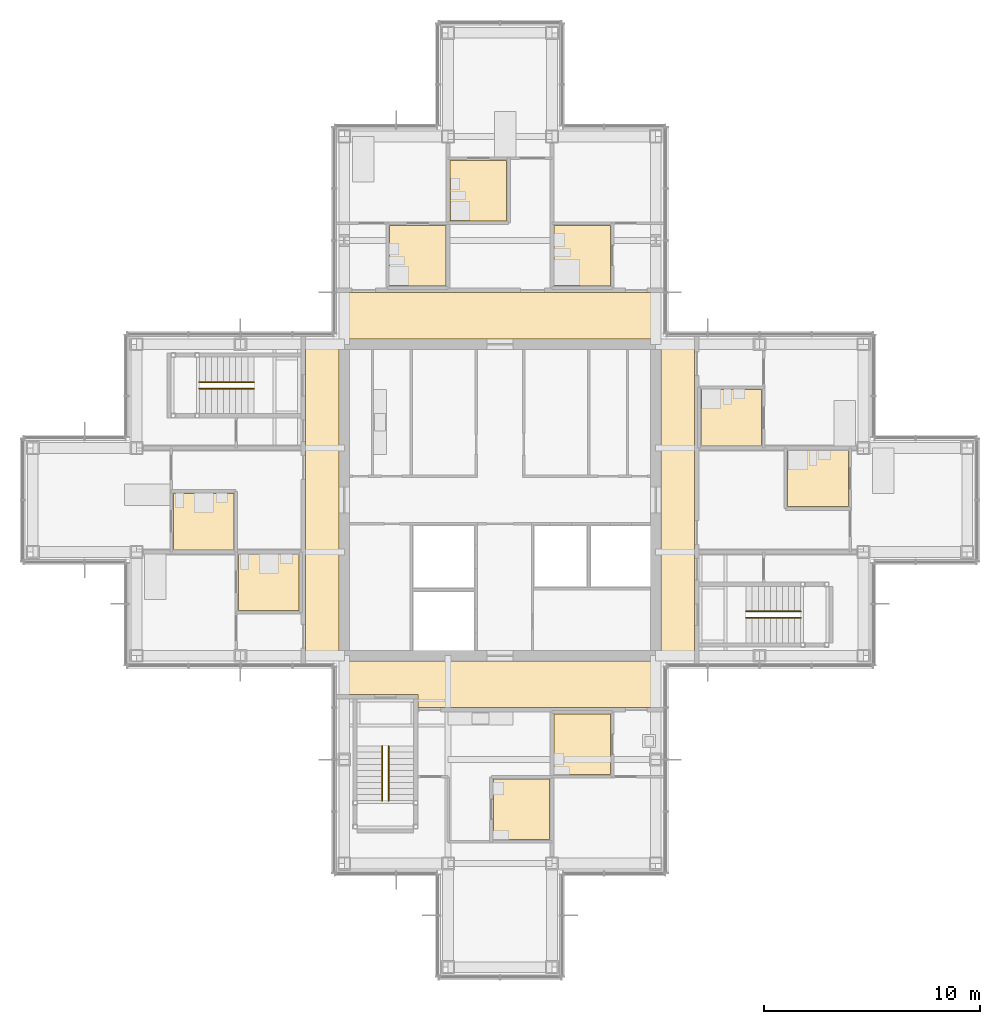
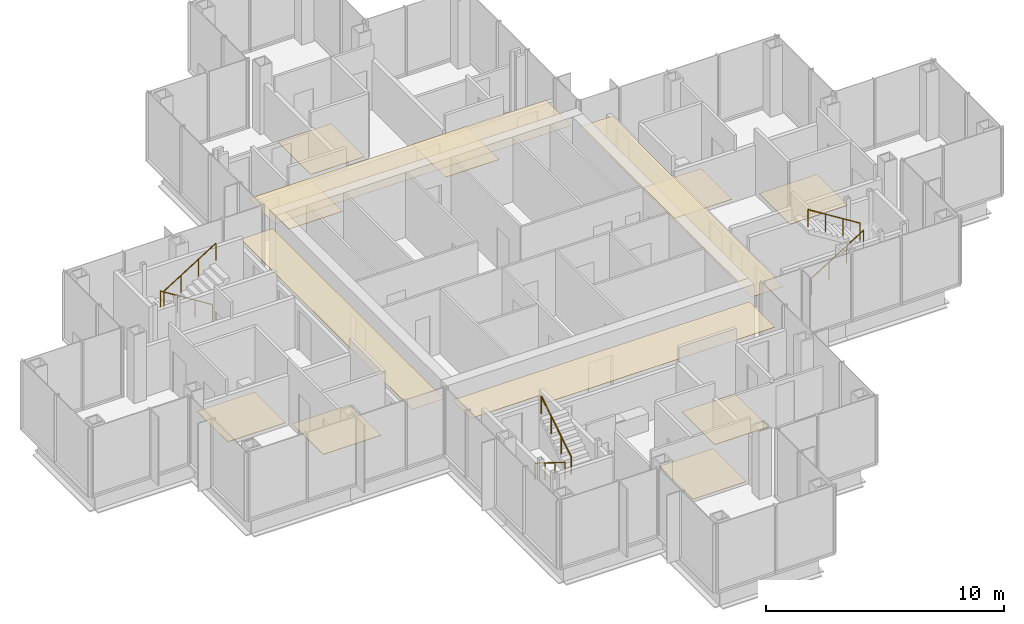
# One storey, part 15 of 17: 13 coverings, 6 railings.
"""IFC4 building model written with IfcOpenShell, lengths in metres."""

from ifc_helpers import new_model, si_unit, direction, frame, origin, origin_2d, place, context, subcontext, project, spatial, polyline, circle, outline, extrude, material, layer, layer_set, type_object, element, save


model = new_model("IFC4")

# Units and contexts
model_context = context("Model", 3, precision=1e-05, world=origin(), true_north=direction((0.0, 1.0)))
body_context = subcontext(model_context, "Body", "Model", "MODEL_VIEW")
ifc_project = project(units=[si_unit("LENGTHUNIT", "METRE"), si_unit("AREAUNIT", "SQUARE_METRE"), si_unit("VOLUMEUNIT", "CUBIC_METRE"), si_unit("PLANEANGLEUNIT", "RADIAN"), si_unit("MASSUNIT", "GRAM", prefix="KILO")], contexts=[model_context])

# Site, building, storey
site_placement = place(None, origin())
site = spatial("IfcSite", under=ifc_project, at=site_placement, CompositionType="ELEMENT")
building_placement = place(site_placement, origin())
building = spatial("IfcBuilding", under=site, at=building_placement, Name="Kvirike Care Tower", CompositionType="ELEMENT")
storey_placement = place(building_placement, frame((0.0, 0.0, 151.5)))
storey = spatial("IfcBuildingStorey", under=building, at=storey_placement, Name="L41", CompositionType="ELEMENT", Elevation=151.5)

# Coverings
ifc_material_1 = material(Name="Perforated metal ceiling tile", Category="aluminium")
ifc_layer_1 = layer(ifc_material_1, 0.014892578125)
ifc_layer_set_1 = layer_set([ifc_layer_1], Name="CORRIDOR CEILING 15")
covering_type_1 = type_object("IfcCoveringType", Name="CORRIDOR CEILING 15", PredefinedType="CEILING", material=ifc_layer_set_1)
covering_1_placement = place(storey_placement, frame((0.0, 0.0, 2.5)))
element("IfcCovering", 1, at=covering_1_placement, inside=storey, type_object=covering_type_1, Name="Corridor ceiling L41", PredefinedType="CEILING", context=body_context, shape_type="SweptSolid", body=[
    extrude(outline(polyline([(12.60009765625, 43.199951171875), (14.14990234375, 43.199951171875), (14.14990234375, 28.800048828125), (12.60009765625, 28.800048828125), (12.60009765625, 43.199951171875)])), origin(), (0.0, 0.0, 1.0), 0.014892578125),
])
covering_2_placement = place(storey_placement, frame((0.0, 0.0, 2.5)))
element("IfcCovering", 2, at=covering_2_placement, inside=storey, type_object=covering_type_1, Name="Corridor ceiling L41", PredefinedType="CEILING", context=body_context, shape_type="SweptSolid", body=[
    extrude(outline(polyline([(14.39990234375, 28.550048828125), (28.800048828125, 28.550048828125), (28.800048828125, 26.39990234375), (17.800048828125, 26.39990234375), (17.800048828125, 27.0), (14.39990234375, 27.0), (14.39990234375, 28.550048828125)])), origin(), (0.0, 0.0, 1.0), 0.014892578125),
])
covering_3_placement = place(storey_placement, frame((0.0, 0.0, 2.5)))
element("IfcCovering", 3, at=covering_3_placement, inside=storey, type_object=covering_type_1, Name="Corridor ceiling L41", PredefinedType="CEILING", context=body_context, shape_type="SweptSolid", body=[
    extrude(outline(polyline([(28.800048828125, 45.60009765625), (28.800048828125, 43.449951171875), (14.39990234375, 43.449951171875), (14.39990234375, 45.60009765625), (28.800048828125, 45.60009765625)])), origin(), (0.0, 0.0, 1.0), 0.014892578125),
])
covering_4_placement = place(storey_placement, frame((0.0, 0.0, 2.5)))
element("IfcCovering", 4, at=covering_4_placement, inside=storey, type_object=covering_type_1, Name="Corridor ceiling L41", PredefinedType="CEILING", context=body_context, shape_type="SweptSolid", body=[
    extrude(outline(polyline([(30.60009765625, 28.800048828125), (29.050048828125, 28.800048828125), (29.050048828125, 43.199951171875), (30.60009765625, 43.199951171875), (30.60009765625, 28.800048828125)])), origin(), (0.0, 0.0, 1.0), 0.014892578125),
])

# Railings
ifc_material_2 = material(Name="Stainless steel handrail", Category="steel")
railing_type = type_object("IfcRailingType", Name="STAIR HANDRAIL 900", PredefinedType="HANDRAIL", material=ifc_material_2)
railing_1_placement = place(storey_placement, frame((10.219970703125, 41.449951171875, 0.175048828125)))
element("IfcRailing", 5, at=railing_1_placement, inside=storey, type_object=railing_type, Name="Stair 1 handrail L41 flight 1", PredefinedType="HANDRAIL", context=body_context, shape_type="SweptSolid", body=[
    extrude(circle(Radius=0.02490234375, at=origin_2d()), frame((0.0, 0.0, 0.875), z_axis=(-0.848007534815, 0.0, 0.529984170421), x_axis=(0.0, -1.0, 0.0)), (0.0, 0.0, 1.0), 2.9716796875),
    extrude(circle(Radius=0.02001953125, at=origin_2d()), origin(), (0.0, 0.0, 1.0), 0.849853515625),
    extrude(circle(Radius=0.02001953125, at=origin_2d()), frame((-0.840087890625, 0.0, 0.52490234375)), (0.0, 0.0, 1.0), 0.849853515625),
    extrude(circle(Radius=0.02001953125, at=origin_2d()), frame((-1.679931640625, 0.0, 1.050048828125)), (0.0, 0.0, 1.0), 0.849853515625),
    extrude(circle(Radius=0.02001953125, at=origin_2d()), frame((-2.52001953125, 0.0, 1.574951171875)), (0.0, 0.0, 1.0), 0.849853515625),
])
for number, where, name in (
    (6, (7.699951171875, 41.14990234375, 1.925048828125), "Stair 1 handrail L41 flight 2"),
    (7, (32.97998046875, 30.550048828125, 0.175048828125), "Stair 2 handrail L41 flight 1"),
):
    element("IfcRailing", number, at=place(storey_placement, frame(where)), inside=storey, type_object=railing_type, Name=name, PredefinedType="HANDRAIL", context=body_context, shape_type="SweptSolid", body=[
        extrude(circle(Radius=0.02490234375, at=origin_2d()), frame((0.0, 0.0, 0.875), z_axis=(0.848007534815, 0.0, 0.529984170421), x_axis=(0.0, 1.0, 0.0)), (0.0, 0.0, 1.0), 2.9716796875),
        extrude(circle(Radius=0.02001953125, at=origin_2d()), origin(), (0.0, 0.0, 1.0), 0.849853515625),
        extrude(circle(Radius=0.02001953125, at=origin_2d()), frame((0.840087890625, 0.0, 0.52490234375)), (0.0, 0.0, 1.0), 0.849853515625),
        extrude(circle(Radius=0.02001953125, at=origin_2d()), frame((1.679931640625, 0.0, 1.050048828125)), (0.0, 0.0, 1.0), 0.849853515625),
        extrude(circle(Radius=0.02001953125, at=origin_2d()), frame((2.52001953125, 0.0, 1.574951171875)), (0.0, 0.0, 1.0), 0.849853515625),
    ])
railing_2_placement = place(storey_placement, frame((35.5, 30.85009765625, 1.925048828125)))
element("IfcRailing", 8, at=railing_2_placement, inside=storey, type_object=railing_type, Name="Stair 2 handrail L41 flight 2", PredefinedType="HANDRAIL", context=body_context, shape_type="SweptSolid", body=[
    extrude(circle(Radius=0.02490234375, at=origin_2d()), frame((0.0, 0.0, 0.875), z_axis=(-0.848007534815, 0.0, 0.529984170421), x_axis=(0.0, -1.0, 0.0)), (0.0, 0.0, 1.0), 2.9716796875),
    extrude(circle(Radius=0.02001953125, at=origin_2d()), origin(), (0.0, 0.0, 1.0), 0.849853515625),
    extrude(circle(Radius=0.02001953125, at=origin_2d()), frame((-0.840087890625, 0.0, 0.52490234375)), (0.0, 0.0, 1.0), 0.849853515625),
    extrude(circle(Radius=0.02001953125, at=origin_2d()), frame((-1.679931640625, 0.0, 1.050048828125)), (0.0, 0.0, 1.0), 0.849853515625),
    extrude(circle(Radius=0.02001953125, at=origin_2d()), frame((-2.52001953125, 0.0, 1.574951171875)), (0.0, 0.0, 1.0), 0.849853515625),
])
railing_3_placement = place(storey_placement, frame((16.14990234375, 24.6201171875, 0.175048828125)))
element("IfcRailing", 9, at=railing_3_placement, inside=storey, type_object=railing_type, Name="Stair 5 handrail L41 flight 1", PredefinedType="HANDRAIL", context=body_context, shape_type="SweptSolid", body=[
    extrude(circle(Radius=0.02490234375, at=origin_2d()), frame((0.0, 0.0, 0.875), z_axis=(0.0, -0.848007534815, 0.529984170421), x_axis=(1.0, 0.0, 0.0)), (0.0, 0.0, 1.0), 2.9716796875),
    extrude(circle(Radius=0.02001953125, at=origin_2d()), origin(), (0.0, 0.0, 1.0), 0.849853515625),
    extrude(circle(Radius=0.02001953125, at=origin_2d()), frame((0.0, -0.840087890625, 0.52490234375)), (0.0, 0.0, 1.0), 0.849853515625),
    extrude(circle(Radius=0.02001953125, at=origin_2d()), frame((0.0, -1.679931640625, 1.050048828125)), (0.0, 0.0, 1.0), 0.849853515625),
    extrude(circle(Radius=0.02001953125, at=origin_2d()), frame((0.0, -2.52001953125, 1.574951171875)), (0.0, 0.0, 1.0), 0.849853515625),
])
railing_4_placement = place(storey_placement, frame((16.449951171875, 22.10009765625, 1.925048828125)))
element("IfcRailing", 10, at=railing_4_placement, inside=storey, type_object=railing_type, Name="Stair 5 handrail L41 flight 2", PredefinedType="HANDRAIL", context=body_context, shape_type="SweptSolid", body=[
    extrude(circle(Radius=0.02490234375, at=origin_2d()), frame((0.0, 0.0, 0.875), z_axis=(0.0, 0.848007534815, 0.529984170421), x_axis=(-1.0, 0.0, 0.0)), (0.0, 0.0, 1.0), 2.9716796875),
    extrude(circle(Radius=0.02001953125, at=origin_2d()), origin(), (0.0, 0.0, 1.0), 0.849853515625),
    extrude(circle(Radius=0.02001953125, at=origin_2d()), frame((0.0, 0.840087890625, 0.52490234375)), (0.0, 0.0, 1.0), 0.849853515625),
    extrude(circle(Radius=0.02001953125, at=origin_2d()), frame((0.0, 1.679931640625, 1.050048828125)), (0.0, 0.0, 1.0), 0.849853515625),
    extrude(circle(Radius=0.02001953125, at=origin_2d()), frame((0.0, 2.52001953125, 1.574951171875)), (0.0, 0.0, 1.0), 0.849853515625),
])

# Coverings
ifc_material_3 = material(Name="Slip-resistant vinyl safety flooring on screed")
ifc_layer_2 = layer(ifc_material_3, 0.02001953125)
ifc_layer_set_2 = layer_set([ifc_layer_2], Name="WET ROOM FLOOR 20")
covering_type_2 = type_object("IfcCoveringType", Name="WET ROOM FLOOR 20", PredefinedType="FLOORING", material=ifc_layer_set_2)
covering_5_placement = place(storey_placement, origin())
element("IfcCovering", 11, at=covering_5_placement, inside=storey, type_object=covering_type_2, Name="En-suite floor L41-006", PredefinedType="FLOORING", context=body_context, shape_type="SweptSolid", body=[
    extrude(outline(polyline([(6.5, 36.300048828125), (9.300048828125, 36.300048828125), (9.300048828125, 33.699951171875), (6.5, 33.699951171875), (6.5, 36.300048828125)])), origin(), (0.0, 0.0, 1.0), 0.02001953125),
])
covering_6_placement = place(storey_placement, origin())
element("IfcCovering", 12, at=covering_6_placement, inside=storey, type_object=covering_type_2, Name="En-suite floor L41-009", PredefinedType="FLOORING", context=body_context, shape_type="SweptSolid", body=[
    extrude(outline(polyline([(9.5, 33.5), (12.300048828125, 33.5), (12.300048828125, 30.89990234375), (9.5, 30.89990234375), (9.5, 33.5)])), origin(), (0.0, 0.0, 1.0), 0.02001953125),
])
covering_7_placement = place(storey_placement, origin())
element("IfcCovering", 13, at=covering_7_placement, inside=storey, type_object=covering_type_2, Name="Accessible WC floor L41-014", PredefinedType="FLOORING", context=body_context, shape_type="SweptSolid", body=[
    extrude(outline(polyline([(21.300048828125, 20.300048828125), (21.300048828125, 23.10009765625), (23.89990234375, 23.10009765625), (23.89990234375, 20.300048828125), (21.300048828125, 20.300048828125)])), origin(), (0.0, 0.0, 1.0), 0.02001953125),
])
covering_8_placement = place(storey_placement, origin())
element("IfcCovering", 14, at=covering_8_placement, inside=storey, type_object=covering_type_2, Name="Staff WC floor L41-017", PredefinedType="FLOORING", context=body_context, shape_type="SweptSolid", body=[
    extrude(outline(polyline([(24.10009765625, 23.300048828125), (24.10009765625, 26.10009765625), (26.699951171875, 26.10009765625), (26.699951171875, 23.300048828125), (24.10009765625, 23.300048828125)])), origin(), (0.0, 0.0, 1.0), 0.02001953125),
])
covering_9_placement = place(storey_placement, origin())
element("IfcCovering", 15, at=covering_9_placement, inside=storey, type_object=covering_type_2, Name="Assisted bathroom floor L41-021", PredefinedType="FLOORING", context=body_context, shape_type="SweptSolid", body=[
    extrude(outline(polyline([(26.699951171875, 48.699951171875), (26.699951171875, 45.89990234375), (24.10009765625, 45.89990234375), (24.10009765625, 48.699951171875), (26.699951171875, 48.699951171875)])), origin(), (0.0, 0.0, 1.0), 0.02001953125),
])
covering_10_placement = place(storey_placement, origin())
element("IfcCovering", 16, at=covering_10_placement, inside=storey, type_object=covering_type_2, Name="En-suite floor L41-024", PredefinedType="FLOORING", context=body_context, shape_type="SweptSolid", body=[
    extrude(outline(polyline([(21.89990234375, 51.699951171875), (21.89990234375, 48.89990234375), (19.300048828125, 48.89990234375), (19.300048828125, 51.699951171875), (21.89990234375, 51.699951171875)])), origin(), (0.0, 0.0, 1.0), 0.02001953125),
])
covering_11_placement = place(storey_placement, origin())
element("IfcCovering", 17, at=covering_11_placement, inside=storey, type_object=covering_type_2, Name="En-suite floor L41-027", PredefinedType="FLOORING", context=body_context, shape_type="SweptSolid", body=[
    extrude(outline(polyline([(19.10009765625, 48.699951171875), (19.10009765625, 45.89990234375), (16.5, 45.89990234375), (16.5, 48.699951171875), (19.10009765625, 48.699951171875)])), origin(), (0.0, 0.0, 1.0), 0.02001953125),
])
covering_12_placement = place(storey_placement, origin())
element("IfcCovering", 18, at=covering_12_placement, inside=storey, type_object=covering_type_2, Name="En-suite floor L41-034", PredefinedType="FLOORING", context=body_context, shape_type="SweptSolid", body=[
    extrude(outline(polyline([(37.699951171875, 35.699951171875), (34.89990234375, 35.699951171875), (34.89990234375, 38.300048828125), (37.699951171875, 38.300048828125), (37.699951171875, 35.699951171875)])), origin(), (0.0, 0.0, 1.0), 0.02001953125),
])
covering_13_placement = place(storey_placement, origin())
element("IfcCovering", 19, at=covering_13_placement, inside=storey, type_object=covering_type_2, Name="En-suite floor L41-037", PredefinedType="FLOORING", context=body_context, shape_type="SweptSolid", body=[
    extrude(outline(polyline([(33.699951171875, 38.5), (30.89990234375, 38.5), (30.89990234375, 41.10009765625), (33.699951171875, 41.10009765625), (33.699951171875, 38.5)])), origin(), (0.0, 0.0, 1.0), 0.02001953125),
])

save(model, "model.ifc")
